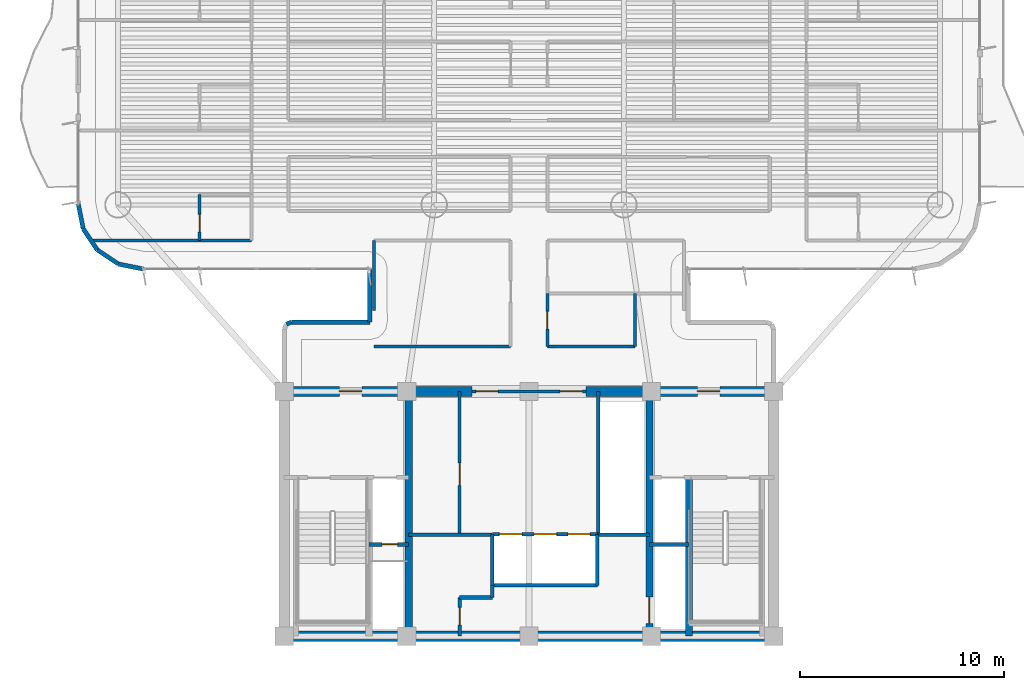
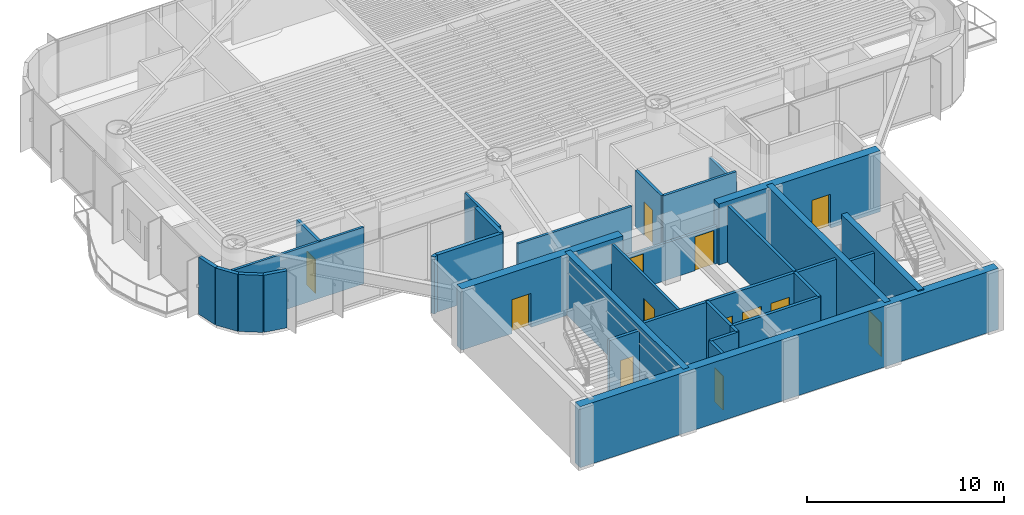
# One storey, part 9 of 17: 34 walls, 13 doors, 13 openings.
"""IFC4 building model written with IfcOpenShell, lengths in metres."""

from ifc_helpers import new_model, si_unit, direction, frame, frame_2d, origin, origin_2d, place, context, subcontext, project, spatial, rectangle, extrude, source, transform, mapped, material, layer, layer_set, type_object, element, fill, save


model = new_model("IFC4")

# Units and contexts
model_context = context("Model", 3, precision=1e-05, world=origin(), true_north=direction((0.0, 1.0)))
body_context = subcontext(model_context, "Body", "Model", "MODEL_VIEW")
ifc_project = project(units=[si_unit("LENGTHUNIT", "METRE"), si_unit("AREAUNIT", "SQUARE_METRE"), si_unit("VOLUMEUNIT", "CUBIC_METRE"), si_unit("PLANEANGLEUNIT", "RADIAN"), si_unit("MASSUNIT", "GRAM", prefix="KILO")], contexts=[model_context])

# Site, building, storey
site_placement = place(None, origin())
site = spatial("IfcSite", under=ifc_project, at=site_placement, CompositionType="ELEMENT")
building_placement = place(site_placement, origin())
building = spatial("IfcBuilding", under=site, at=building_placement, Name="Brelvock Crest Care Tower", CompositionType="ELEMENT")
storey_placement = place(building_placement, frame((0.0, 0.0, 127.6201171875)))
storey = spatial("IfcBuildingStorey", under=building, at=storey_placement, Name="L32", CompositionType="ELEMENT", Elevation=127.6201171875)

# Wall
ifc_material_1 = material(Name="Concrete S80 (80 MPa)", Category="concrete")
ifc_layer_1 = layer(ifc_material_1, 0.5, Name="WL-CS2")
ifc_layer_set_1 = layer_set([ifc_layer_1], Name="Concrete S80 (80 MPa)")
wall_type_1 = type_object("IfcWallType", Name="WL-CS2", PredefinedType="SHEAR", material=ifc_layer_set_1)
wall_1_placement = place(storey_placement, frame((48.25, 6.0, 0.0), z_axis=(0.0, 0.0, 1.0), x_axis=(-1.0, 0.0, 0.0)))
element("IfcWall", 1, at=wall_1_placement, inside=storey, type_object=wall_type_1, Name="L32 Core South Shear Wall", PredefinedType="SHEAR", context=body_context, shape_type="SweptSolid", body=[
    extrude(rectangle(XDim=24.5, YDim=0.5, at=frame_2d((12.25, 0.0))), origin(), (0.0, 0.0, 1.0), 3.77978515625),
])

# Wall, opening, door
wall_2_placement = place(storey_placement, frame((23.75, 18.0, 0.0), z_axis=(0.0, 0.0, 1.0), x_axis=(1.0, 0.0, 0.0)))
wall_2 = element("IfcWall", 2, at=wall_2_placement, inside=storey, type_object=wall_type_1, Name="L32 Core North-West Shear Wall", PredefinedType="SHEAR", context=body_context, shape_type="SweptSolid", body=[
    extrude(rectangle(XDim=9.449951171875, YDim=0.5, at=frame_2d((4.72509765625, 0.0))), origin(), (0.0, 0.0, 1.0), 3.77978515625),
])
opening_1_placement = place(wall_2_placement, frame((2.949951171875, 0.0, 0.0)))
opening_1 = element("IfcOpeningElement", 3, at=opening_1_placement, cuts=wall_2, Name="Opening FD-1", PredefinedType="OPENING", context=body_context, shape_type="SweptSolid", body=[
    extrude(rectangle(XDim=1.10009765625, YDim=2.10009765625, at=origin_2d()), frame((0.550048828125, 0.260009765625, 1.050048828125), z_axis=(0.0, -1.0, 0.0), x_axis=(1.0, 0.0, 0.0)), (0.0, 0.0, 1.0), 0.52001953125),
])
ifc_material_2 = material(Name="Steel Grade 350", Category="steel")
door_type_1 = type_object("IfcDoorType", Name="DR-FFL1", OperationType="NOTDEFINED", PredefinedType="DOOR", material=ifc_material_2)
shared_shape_1 = source(origin(), body_context, "Body", "SweptSolid", [
    extrude(rectangle(XDim=1.10009765625, YDim=2.10009765625, at=origin_2d()), frame((0.550048828125, 0.02490234375, 1.050048828125), z_axis=(0.0, -1.0, 0.0), x_axis=(1.0, 0.0, 0.0)), (0.0, 0.0, 1.0), 0.050048828125),
])
door_1_placement = place(opening_1_placement, origin())
door_1 = element("IfcDoor", 4, at=door_1_placement, inside=storey, type_object=door_type_1, Name="L32 Firefighting Lobby FFL-1 Exit Door", OperationType="SINGLE_SWING_LEFT", OverallHeight=2.10009765625, OverallWidth=1.10009765625, PredefinedType="DOOR", context=body_context, shape_type="MappedRepresentation", body=[
    mapped(shared_shape_1, transform((0.0, 0.0, 0.0), x_axis=(1.0, 0.0, 0.0), y_axis=(0.0, 1.0, 0.0), z_axis=(0.0, 0.0, 1.0), scale=1.0)),
])
fill(opening_1, door_1)

wall_3_placement = place(storey_placement, frame((38.800048828125, 18.0, 0.0), z_axis=(0.0, 0.0, 1.0), x_axis=(1.0, 0.0, 0.0)))
wall_3 = element("IfcWall", 5, at=wall_3_placement, inside=storey, type_object=wall_type_1, Name="L32 Core North-East Shear Wall", PredefinedType="SHEAR", context=body_context, shape_type="SweptSolid", body=[
    extrude(rectangle(XDim=9.449951171875, YDim=0.5, at=frame_2d((4.72509765625, 0.0))), origin(), (0.0, 0.0, 1.0), 3.77978515625),
])
opening_2_placement = place(wall_3_placement, frame((5.449951171875, 0.0, 0.0)))
opening_2 = element("IfcOpeningElement", 6, at=opening_2_placement, cuts=wall_3, Name="Opening FD-1", PredefinedType="OPENING", context=body_context, shape_type="SweptSolid", body=[
    extrude(rectangle(XDim=1.10009765625, YDim=2.10009765625, at=origin_2d()), frame((0.550048828125, 0.260009765625, 1.050048828125), z_axis=(0.0, -1.0, 0.0), x_axis=(1.0, 0.0, 0.0)), (0.0, 0.0, 1.0), 0.52001953125),
])
door_2_placement = place(opening_2_placement, origin())
door_2 = element("IfcDoor", 7, at=door_2_placement, inside=storey, type_object=door_type_1, Name="L32 Firefighting Lobby FFL-2 Exit Door", OperationType="SINGLE_SWING_RIGHT", OverallHeight=2.10009765625, OverallWidth=1.10009765625, PredefinedType="DOOR", context=body_context, shape_type="MappedRepresentation", body=[
    mapped(shared_shape_1, transform((0.0, 0.0, 0.0), x_axis=(1.0, 0.0, 0.0), y_axis=(0.0, 1.0, 0.0), z_axis=(0.0, 0.0, 1.0), scale=1.0)),
])
fill(opening_2, door_2)

# Wall
ifc_layer_2 = layer(ifc_material_1, 0.35009765625, Name="WL-CS5")
ifc_layer_set_2 = layer_set([ifc_layer_2], Name="Concrete S80 (80 MPa)")
wall_type_2 = type_object("IfcWallType", Name="WL-CS5", PredefinedType="SHEAR", material=ifc_layer_set_2)
wall_4_placement = place(storey_placement, frame((30.10009765625, 6.0, 0.0), z_axis=(0.0, 0.0, 1.0), x_axis=(0.0, 1.0, 0.0)))
element("IfcWall", 8, at=wall_4_placement, inside=storey, type_object=wall_type_2, Name="L32 Core Internal Web Wall West", PredefinedType="SHEAR", context=body_context, shape_type="SweptSolid", body=[
    extrude(rectangle(XDim=12.0, YDim=0.35009765625, at=frame_2d((6.0, 0.0))), origin(), (0.0, 0.0, 1.0), 3.77978515625),
])

# Wall, opening, door
wall_5_placement = place(storey_placement, frame((41.89990234375, 18.0, 0.0), z_axis=(0.0, 0.0, 1.0), x_axis=(0.0, -1.0, 0.0)))
wall_5 = element("IfcWall", 9, at=wall_5_placement, inside=storey, type_object=wall_type_2, Name="L32 Core Internal Web Wall East", PredefinedType="SHEAR", context=body_context, shape_type="SweptSolid", body=[
    extrude(rectangle(XDim=12.0, YDim=0.35009765625, at=frame_2d((6.0, 0.0))), origin(), (0.0, 0.0, 1.0), 3.77978515625),
])
opening_3_placement = place(wall_5_placement, frame((10.080078125, 0.0, 0.0)))
opening_3 = element("IfcOpeningElement", 10, at=opening_3_placement, cuts=wall_5, Name="Opening LD-S", PredefinedType="OPENING", context=body_context, shape_type="SweptSolid", body=[
    extrude(rectangle(XDim=1.300048828125, YDim=2.10009765625, at=origin_2d()), frame((0.64990234375, 0.18505859375, 1.050048828125), z_axis=(0.0, -1.0, 0.0), x_axis=(1.0, 0.0, 0.0)), (0.0, 0.0, 1.0), 0.3701171875),
])
door_type_2 = type_object("IfcDoorType", Name="DR-LDS1", OperationType="NOTDEFINED", PredefinedType="DOOR", material=ifc_material_2)
shared_shape_2 = source(origin(), body_context, "Body", "SweptSolid", [
    extrude(rectangle(XDim=1.300048828125, YDim=2.10009765625, at=origin_2d()), frame((0.64990234375, 0.02490234375, 1.050048828125), z_axis=(0.0, -1.0, 0.0), x_axis=(1.0, 0.0, 0.0)), (0.0, 0.0, 1.0), 0.050048828125),
])
door_3_placement = place(opening_3_placement, origin())
door_3 = element("IfcDoor", 11, at=door_3_placement, inside=storey, type_object=door_type_2, Name="L32 Clinical Bed Lift SL-1 Landing Door", OperationType="SLIDING_TO_LEFT", OverallHeight=2.10009765625, OverallWidth=1.300048828125, PredefinedType="DOOR", context=body_context, shape_type="MappedRepresentation", body=[
    mapped(shared_shape_2, transform((0.0, 0.0, 0.0), x_axis=(1.0, 0.0, 0.0), y_axis=(0.0, 1.0, 0.0), z_axis=(0.0, 0.0, 1.0), scale=1.0)),
])
fill(opening_3, door_3)

# Walls
wall_6_placement = place(storey_placement, frame((43.85009765625, 6.0, 0.0), z_axis=(0.0, 0.0, 1.0), x_axis=(0.0, 1.0, 0.0)))
element("IfcWall", 12, at=wall_6_placement, inside=storey, type_object=wall_type_2, Name="L32 Core Stair ST-2 West Shear Wall", PredefinedType="SHEAR", context=body_context, shape_type="SweptSolid", body=[
    extrude(rectangle(XDim=7.780029296875, YDim=0.35009765625, at=frame_2d((3.89013671875, 0.0))), origin(), (0.0, 0.0, 1.0), 3.849853515625),
])
ifc_material_3 = material(Name="Precast concrete N40 (40 MPa)", Category="concrete")
ifc_layer_3 = layer(ifc_material_3, 0.215087890625, Name="WL-EX2")
ifc_layer_set_3 = layer_set([ifc_layer_3], Name="Precast concrete N40 (40 MPa)")
wall_type_3 = type_object("IfcWallType", Name="WL-EX2", PredefinedType="SOLIDWALL", material=ifc_layer_set_3)
wall_7_placement = place(storey_placement, frame((24.1025390625, 21.297607421875, 0.0), z_axis=(0.0, 0.0, 1.0), x_axis=(0.924205486139, 0.381895560841, 0.0)))
element("IfcWall", 13, at=wall_7_placement, inside=storey, type_object=wall_type_3, Name="L32 Rounded Corner Wall 09", PredefinedType="SOLIDWALL", context=body_context, shape_type="SweptSolid", body=[
    extrude(rectangle(XDim=0.267822265625, YDim=0.215087890625, at=frame_2d((0.1337890625, 0.0))), origin(), (0.0, 0.0, 1.0), 3.52978515625),
])
wall_8_placement = place(storey_placement, frame((24.35009765625, 21.39990234375, 0.0), z_axis=(0.0, 0.0, 1.0), x_axis=(1.0, 0.0, 0.0)))
element("IfcWall", 14, at=wall_8_placement, inside=storey, type_object=wall_type_3, Name="L32 Rounded Corner Wall 10", PredefinedType="SOLIDWALL", context=body_context, shape_type="SweptSolid", body=[
    extrude(rectangle(XDim=3.849853515625, YDim=0.215087890625, at=frame_2d((1.9248046875, 0.0))), origin(), (0.0, 0.0, 1.0), 3.52978515625),
])
wall_9_placement = place(storey_placement, frame((28.199951171875, 21.39990234375, 0.0), z_axis=(0.0, 0.0, 1.0), x_axis=(0.0, 1.0, 0.0)))
element("IfcWall", 15, at=wall_9_placement, inside=storey, type_object=wall_type_3, Name="L32 Rounded Corner Wall 11", PredefinedType="SOLIDWALL", context=body_context, shape_type="SweptSolid", body=[
    extrude(rectangle(XDim=2.60009765625, YDim=0.215087890625, at=frame_2d((1.300048828125, 0.0))), origin(), (0.0, 0.0, 1.0), 3.52978515625),
])
for number, where, z_axis, x_axis, name in (
    (16, (17.10009765625, 24.0, 0.0), (0.0, 0.0, 1.0), (-0.980775717779, 0.195138390419, 0.0), "L32 Rounded Corner Wall 13"),
    (17, (15.87548828125, 24.24365234375, 0.0), (0.0, 0.0, 1.0), (-0.831478245117, 0.555557312883, 0.0), "L32 Rounded Corner Wall 14"),
    (18, (14.83740234375, 24.937255859375, 0.0), (0.0, 0.0, 1.0), (-0.555692485475, 0.831387912822, 0.0), "L32 Rounded Corner Wall 15"),
    (19, (14.1435546875, 25.975341796875, 0.0), (0.0, 0.0, 1.0), (-0.195138390419, 0.980775717779, 0.0), "L32 Rounded Corner Wall 16"),
):
    element("IfcWall", number, at=place(storey_placement, frame(where, z_axis=z_axis, x_axis=x_axis)), inside=storey, type_object=wall_type_3, Name=name, PredefinedType="SOLIDWALL", context=body_context, shape_type="SweptSolid", body=[
        extrude(rectangle(XDim=1.24853515625, YDim=0.215087890625, at=frame_2d((0.624267578125, 0.0))), origin(), (0.0, 0.0, 1.0), 3.52978515625),
    ])

# Wall, opening, door
ifc_material_4 = material(Name="Masonry Blockwork Acoustic Partition", Category="masonry")
ifc_layer_4 = layer(ifc_material_4, 0.14990234375, Name="WL-INT1")
ifc_layer_set_4 = layer_set([ifc_layer_4], Name="Masonry Blockwork Acoustic Partition")
wall_type_4 = type_object("IfcWallType", Name="WL-INT1", PredefinedType="PARTITIONING", material=ifc_layer_set_4)
wall_10_placement = place(storey_placement, frame((32.60009765625, 11.0, 0.0), z_axis=(0.0, 0.0, 1.0), x_axis=(0.0, 1.0, 0.0)))
wall_10 = element("IfcWall", 20, at=wall_10_placement, inside=storey, type_object=wall_type_4, Name="L32 Interior Wall WL-CRCL-E-L32", PredefinedType="PARTITIONING", context=body_context, shape_type="SweptSolid", body=[
    extrude(rectangle(XDim=7.0, YDim=0.14990234375, at=frame_2d((3.5, 0.0))), origin(), (0.0, 0.0, 1.0), 3.5),
])
opening_4_placement = place(wall_10_placement, frame((2.39990234375, 0.0, 0.0)))
opening_4 = element("IfcOpeningElement", 21, at=opening_4_placement, cuts=wall_10, Name="Opening PD-1", PredefinedType="OPENING", context=body_context, shape_type="SweptSolid", body=[
    extrude(rectangle(XDim=1.10009765625, YDim=2.10009765625, at=origin_2d()), frame((0.550048828125, 0.0849609375, 1.050048828125), z_axis=(0.0, -1.0, 0.0), x_axis=(1.0, 0.0, 0.0)), (0.0, 0.0, 1.0), 0.169921875),
])
door_type_3 = type_object("IfcDoorType", Name="DR-PLT1", OperationType="NOTDEFINED", PredefinedType="DOOR", material=ifc_material_2)
shared_shape_3 = source(origin(), body_context, "Body", "SweptSolid", [
    extrude(rectangle(XDim=1.10009765625, YDim=2.10009765625, at=origin_2d()), frame((0.550048828125, 0.02490234375, 1.050048828125), z_axis=(0.0, -1.0, 0.0), x_axis=(1.0, 0.0, 0.0)), (0.0, 0.0, 1.0), 0.050048828125),
])
door_4_placement = place(opening_4_placement, origin())
door_4 = element("IfcDoor", 22, at=door_4_placement, inside=storey, type_object=door_type_3, Name="DR-CRCL1-L32", OperationType="SINGLE_SWING_LEFT", OverallHeight=2.10009765625, OverallWidth=1.10009765625, PredefinedType="DOOR", context=body_context, shape_type="MappedRepresentation", body=[
    mapped(shared_shape_3, transform((0.0, 0.0, 0.0), x_axis=(1.0, 0.0, 0.0), y_axis=(0.0, 1.0, 0.0), z_axis=(0.0, 0.0, 1.0), scale=1.0)),
])
fill(opening_4, door_4)

# Wall, openings, doors
wall_11_placement = place(storey_placement, frame((33.199951171875, 18.0, 0.0), z_axis=(0.0, 0.0, 1.0), x_axis=(1.0, 0.0, 0.0)))
wall_11 = element("IfcWall", 23, at=wall_11_placement, inside=storey, type_object=wall_type_4, Name="L32 Interior Wall WL-CORE-NPORT-L32", PredefinedType="PARTITIONING", context=body_context, shape_type="SweptSolid", body=[
    extrude(rectangle(XDim=5.60009765625, YDim=0.14990234375, at=frame_2d((2.800048828125, 0.0))), origin(), (0.0, 0.0, 1.0), 2.31494140625),
])
opening_5_placement = place(wall_11_placement, frame((0.18994140625, 0.0, 0.0)))
opening_5 = element("IfcOpeningElement", 24, at=opening_5_placement, cuts=wall_11, Name="Opening FD-1", PredefinedType="OPENING", context=body_context, shape_type="SweptSolid", body=[
    extrude(rectangle(XDim=1.10009765625, YDim=2.10009765625, at=origin_2d()), frame((0.550048828125, 0.0849609375, 1.050048828125), z_axis=(0.0, -1.0, 0.0), x_axis=(1.0, 0.0, 0.0)), (0.0, 0.0, 1.0), 0.169921875),
])
opening_6_placement = place(wall_11_placement, frame((4.31005859375, 0.0, 0.0)))
opening_6 = element("IfcOpeningElement", 25, at=opening_6_placement, cuts=wall_11, Name="Opening FD-1", PredefinedType="OPENING", context=body_context, shape_type="SweptSolid", body=[
    extrude(rectangle(XDim=1.10009765625, YDim=2.10009765625, at=origin_2d()), frame((0.550048828125, 0.0849609375, 1.050048828125), z_axis=(0.0, -1.0, 0.0), x_axis=(1.0, 0.0, 0.0)), (0.0, 0.0, 1.0), 0.169921875),
])
door_5_placement = place(opening_5_placement, origin())
door_5 = element("IfcDoor", 26, at=door_5_placement, inside=storey, type_object=door_type_1, Name="L32 Lift Lobby North Smoke Door West", OperationType="SINGLE_SWING_LEFT", OverallHeight=2.10009765625, OverallWidth=1.10009765625, PredefinedType="DOOR", context=body_context, shape_type="MappedRepresentation", body=[
    mapped(shared_shape_1, transform((0.0, 0.0, 0.0), x_axis=(1.0, 0.0, 0.0), y_axis=(0.0, 1.0, 0.0), z_axis=(0.0, 0.0, 1.0), scale=1.0)),
])
fill(opening_5, door_5)
door_6_placement = place(opening_6_placement, origin())
door_6 = element("IfcDoor", 27, at=door_6_placement, inside=storey, type_object=door_type_1, Name="L32 Lift Lobby North Smoke Door East", OperationType="SINGLE_SWING_RIGHT", OverallHeight=2.10009765625, OverallWidth=1.10009765625, PredefinedType="DOOR", context=body_context, shape_type="MappedRepresentation", body=[
    mapped(shared_shape_1, transform((0.0, 0.0, 0.0), x_axis=(1.0, 0.0, 0.0), y_axis=(0.0, 1.0, 0.0), z_axis=(0.0, 0.0, 1.0), scale=1.0)),
])
fill(opening_6, door_6)

# Walls
wall_12_placement = place(storey_placement, frame((28.39990234375, 20.199951171875, 0.0), z_axis=(0.0, 0.0, 1.0), x_axis=(1.0, 0.0, 0.0)))
element("IfcWall", 28, at=wall_12_placement, inside=storey, type_object=wall_type_4, Name="L32 Interior Wall WL-BX-L32-THW-S", PredefinedType="PARTITIONING", context=body_context, shape_type="SweptSolid", body=[
    extrude(rectangle(XDim=6.7001953125, YDim=0.14990234375, at=frame_2d((3.35009765625, 0.0))), origin(), (0.0, 0.0, 1.0), 3.5),
])
wall_13_placement = place(storey_placement, frame((14.624267578125, 25.39990234375, 0.0), z_axis=(0.0, 0.0, 1.0), x_axis=(1.0, 0.0, 0.0)))
element("IfcWall", 29, at=wall_13_placement, inside=storey, type_object=wall_type_4, Name="L32 Interior Wall WL-BX-L32-CS-SNW1-S2", PredefinedType="PARTITIONING", context=body_context, shape_type="SweptSolid", body=[
    extrude(rectangle(XDim=7.775634765625, YDim=0.14990234375, at=frame_2d((3.8876953125, 0.0))), origin(), (0.0, 0.0, 1.0), 3.5),
])
wall_14_placement = place(storey_placement, frame((28.39990234375, 21.957275390625, 0.0), z_axis=(0.0, 0.0, 1.0), x_axis=(0.0, 1.0, 0.0)))
element("IfcWall", 30, at=wall_14_placement, inside=storey, type_object=wall_type_4, Name="L32 Interior Wall WL-BX-L32-THW-W2", PredefinedType="PARTITIONING", context=body_context, shape_type="SweptSolid", body=[
    extrude(rectangle(XDim=3.442626953125, YDim=0.14990234375, at=frame_2d((1.72119140625, 0.0))), origin(), (0.0, 0.0, 1.0), 3.5),
])
ifc_material_5 = material(Name="Gypsum Plasterboard Partition", Category="gypsum")
ifc_layer_5 = layer(ifc_material_5, 0.159912109375, Name="WL-PLM1")
ifc_layer_set_5 = layer_set([ifc_layer_5], Name="Gypsum Plasterboard Partition")
wall_type_5 = type_object("IfcWallType", Name="WL-PLM1", PredefinedType="PLUMBINGWALL", material=ifc_layer_set_5)
wall_15_placement = place(storey_placement, frame((36.89990234375, 20.199951171875, 0.0), z_axis=(0.0, 0.0, 1.0), x_axis=(1.0, 0.0, 0.0)))
element("IfcWall", 31, at=wall_15_placement, inside=storey, type_object=wall_type_5, Name="L32 Interior Wall WL-BX-L32-THE1-S", PredefinedType="PLUMBINGWALL", context=body_context, shape_type="SweptSolid", body=[
    extrude(rectangle(XDim=4.300048828125, YDim=0.159912109375, at=frame_2d((2.14990234375, 0.0))), origin(), (0.0, 0.0, 1.0), 3.5),
])

# Wall, opening, door
wall_16_placement = place(storey_placement, frame((19.85009765625, 25.39990234375, 0.0), z_axis=(0.0, 0.0, 1.0), x_axis=(0.0, 1.0, 0.0)))
wall_16 = element("IfcWall", 32, at=wall_16_placement, inside=storey, type_object=wall_type_5, Name="L32 Interior Wall WL-CENS1-L32-SNW1", PredefinedType="PLUMBINGWALL", context=body_context, shape_type="SweptSolid", body=[
    extrude(rectangle(XDim=2.25, YDim=0.159912109375, at=frame_2d((1.125, 0.0))), origin(), (0.0, 0.0, 1.0), 3.5),
])
opening_7_placement = place(wall_16_placement, frame((0.419921875, 0.0, 0.0)))
opening_7 = element("IfcOpeningElement", 33, at=opening_7_placement, cuts=wall_16, Name="Opening WD-1", PredefinedType="OPENING", context=body_context, shape_type="SweptSolid", body=[
    extrude(rectangle(XDim=0.860107421875, YDim=2.10009765625, at=origin_2d()), frame((0.43017578125, 0.08984375, 1.050048828125), z_axis=(0.0, -1.0, 0.0), x_axis=(1.0, 0.0, 0.0)), (0.0, 0.0, 1.0), 0.179931640625),
])
ifc_material_6 = material(Name="Engineered Hardwood Timber", Category="wood")
door_type_4 = type_object("IfcDoorType", Name="DR-WC1", OperationType="NOTDEFINED", PredefinedType="DOOR", material=ifc_material_6)
shared_shape_4 = source(origin(), body_context, "Body", "SweptSolid", [
    extrude(rectangle(XDim=0.860107421875, YDim=2.10009765625, at=origin_2d()), frame((0.43017578125, 0.02490234375, 1.050048828125), z_axis=(0.0, -1.0, 0.0), x_axis=(1.0, 0.0, 0.0)), (0.0, 0.0, 1.0), 0.050048828125),
])
door_7_placement = place(opening_7_placement, origin())
door_7 = element("IfcDoor", 34, at=door_7_placement, inside=storey, type_object=door_type_4, Name="L32 Care En-Suite Door SNW1", OperationType="SINGLE_SWING_LEFT", OverallHeight=2.10009765625, OverallWidth=0.860107421875, PredefinedType="DOOR", context=body_context, shape_type="MappedRepresentation", body=[
    mapped(shared_shape_4, transform((0.0, 0.0, 0.0), x_axis=(1.0, 0.0, 0.0), y_axis=(0.0, 1.0, 0.0), z_axis=(0.0, 0.0, 1.0), scale=1.0)),
])
fill(opening_7, door_7)

wall_17_placement = place(storey_placement, frame((36.89990234375, 20.199951171875, 0.0), z_axis=(0.0, 0.0, 1.0), x_axis=(0.0, 1.0, 0.0)))
wall_17 = element("IfcWall", 35, at=wall_17_placement, inside=storey, type_object=wall_type_5, Name="L32 Interior Wall WL-RM-L32-THE1", PredefinedType="PLUMBINGWALL", context=body_context, shape_type="SweptSolid", body=[
    extrude(rectangle(XDim=2.60009765625, YDim=0.159912109375, at=frame_2d((1.300048828125, 0.0))), origin(), (0.0, 0.0, 1.0), 3.5),
])
opening_8_placement = place(wall_17_placement, frame((0.8701171875, 0.0, 0.0)))
opening_8 = element("IfcOpeningElement", 36, at=opening_8_placement, cuts=wall_17, Name="Opening WD-1", PredefinedType="OPENING", context=body_context, shape_type="SweptSolid", body=[
    extrude(rectangle(XDim=0.860107421875, YDim=2.10009765625, at=origin_2d()), frame((0.43017578125, 0.08984375, 1.050048828125), z_axis=(0.0, -1.0, 0.0), x_axis=(1.0, 0.0, 0.0)), (0.0, 0.0, 1.0), 0.179931640625),
])
door_8_placement = place(opening_8_placement, origin())
door_8 = element("IfcDoor", 37, at=door_8_placement, inside=storey, type_object=door_type_4, Name="L32 Floor Accessible WC Door THE1", OperationType="SINGLE_SWING_LEFT", OverallHeight=2.10009765625, OverallWidth=0.860107421875, PredefinedType="DOOR", context=body_context, shape_type="MappedRepresentation", body=[
    mapped(shared_shape_4, transform((0.0, 0.0, 0.0), x_axis=(1.0, 0.0, 0.0), y_axis=(0.0, 1.0, 0.0), z_axis=(0.0, 0.0, 1.0), scale=1.0)),
])
fill(opening_8, door_8)

# Walls
wall_18_placement = place(storey_placement, frame((41.199951171875, 20.199951171875, 0.0), z_axis=(0.0, 0.0, 1.0), x_axis=(0.0, 1.0, 0.0)))
element("IfcWall", 38, at=wall_18_placement, inside=storey, type_object=wall_type_5, Name="L32 Interior Wall WL-BX-L32-THE1-E", PredefinedType="PLUMBINGWALL", context=body_context, shape_type="SweptSolid", body=[
    extrude(rectangle(XDim=2.60009765625, YDim=0.159912109375, at=frame_2d((1.300048828125, 0.0))), origin(), (0.0, 0.0, 1.0), 2.81494140625),
])
ifc_layer_6 = layer(ifc_material_4, 0.179931640625, Name="WL-SHF1")
ifc_layer_set_6 = layer_set([ifc_layer_6], Name="Masonry Blockwork Acoustic Partition")
wall_type_6 = type_object("IfcWallType", Name="WL-SHF1", PredefinedType="PARTITIONING", material=ifc_layer_set_6)
wall_19_placement = place(storey_placement, frame((34.199951171875, 8.5, 0.0), z_axis=(0.0, 0.0, 1.0), x_axis=(1.0, 0.0, 0.0)))
element("IfcWall", 39, at=wall_19_placement, inside=storey, type_object=wall_type_6, Name="L32 Interior Wall WL-PLM-S-L32", PredefinedType="PARTITIONING", context=body_context, shape_type="SweptSolid", body=[
    extrude(rectangle(XDim=5.150146484375, YDim=0.179931640625, at=frame_2d((2.5751953125, 0.0))), origin(), (0.0, 0.0, 1.0), 3.5),
])
for number, where, z_axis, x_axis, name in (
    (40, (34.199951171875, 8.5, 0.0), (0.0, 0.0, 1.0), (0.0, 1.0, 0.0), "L32 Interior Wall WL-PLM-W-L32"),
    (41, (39.35009765625, 8.5, 0.0), (0.0, 0.0, 1.0), (0.0, 1.0, 0.0), "L32 Interior Wall WL-PLM-E-L32"),
):
    element("IfcWall", number, at=place(storey_placement, frame(where, z_axis=z_axis, x_axis=x_axis)), inside=storey, type_object=wall_type_6, Name=name, PredefinedType="PARTITIONING", context=body_context, shape_type="SweptSolid", body=[
        extrude(rectangle(XDim=2.5, YDim=0.179931640625, at=frame_2d((1.25, 0.0))), origin(), (0.0, 0.0, 1.0), 3.5),
    ])
wall_20_placement = place(storey_placement, frame((39.39990234375, 11.0, 0.0), z_axis=(0.0, 0.0, 1.0), x_axis=(0.0, 1.0, 0.0)))
element("IfcWall", 42, at=wall_20_placement, inside=storey, type_object=wall_type_6, Name="L32 Interior Wall WL-PLH-SHF-L32", PredefinedType="PARTITIONING", context=body_context, shape_type="SweptSolid", body=[
    extrude(rectangle(XDim=7.0, YDim=0.179931640625, at=frame_2d((3.5, 0.0))), origin(), (0.0, 0.0, 1.0), 3.5),
])
wall_21_placement = place(storey_placement, frame((30.10009765625, 10.97998046875, 0.0), z_axis=(0.0, 0.0, 1.0), x_axis=(1.0, 0.0, 0.0)))
element("IfcWall", 43, at=wall_21_placement, inside=storey, type_object=wall_type_6, Name="L32 Interior Wall WL-CSBW-N-L32", PredefinedType="PARTITIONING", context=body_context, shape_type="SweptSolid", body=[
    extrude(rectangle(XDim=4.079833984375, YDim=0.179931640625, at=frame_2d((2.0400390625, 0.0))), origin(), (0.0, 0.0, 1.0), 3.5),
])
wall_22_placement = place(storey_placement, frame((34.199951171875, 7.89990234375, 0.0), z_axis=(0.0, 0.0, 1.0), x_axis=(0.0, 1.0, 0.0)))
element("IfcWall", 44, at=wall_22_placement, inside=storey, type_object=wall_type_6, Name="L32 Interior Wall WL-CSBW-E2-L32", PredefinedType="PARTITIONING", context=body_context, shape_type="SweptSolid", body=[
    extrude(rectangle(XDim=0.60009765625, YDim=0.179931640625, at=frame_2d((0.300048828125, 0.0))), origin(), (0.0, 0.0, 1.0), 3.5),
])
wall_23_placement = place(storey_placement, frame((32.60009765625, 7.89990234375, 0.0), z_axis=(0.0, 0.0, 1.0), x_axis=(1.0, 0.0, 0.0)))
element("IfcWall", 45, at=wall_23_placement, inside=storey, type_object=wall_type_6, Name="L32 Interior Wall WL-CSBW-S2-L32", PredefinedType="PARTITIONING", context=body_context, shape_type="SweptSolid", body=[
    extrude(rectangle(XDim=1.599853515625, YDim=0.179931640625, at=frame_2d((0.7998046875, 0.0))), origin(), (0.0, 0.0, 1.0), 3.5),
])

# Wall, opening, door
wall_24_placement = place(storey_placement, frame((32.60009765625, 6.0, 0.0), z_axis=(0.0, 0.0, 1.0), x_axis=(0.0, 1.0, 0.0)))
wall_24 = element("IfcWall", 46, at=wall_24_placement, inside=storey, type_object=wall_type_6, Name="L32 Interior Wall WL-CSBW-E1-L32", PredefinedType="PARTITIONING", context=body_context, shape_type="SweptSolid", body=[
    extrude(rectangle(XDim=1.89990234375, YDim=0.179931640625, at=frame_2d((0.949951171875, 0.0))), origin(), (0.0, 0.0, 1.0), 3.5),
])
opening_9_placement = place(wall_24_placement, frame((0.550048828125, 0.0, 0.0)))
opening_9 = element("IfcOpeningElement", 47, at=opening_9_placement, cuts=wall_24, Name="Opening ID-1", PredefinedType="OPENING", context=body_context, shape_type="SweptSolid", body=[
    extrude(rectangle(XDim=0.860107421875, YDim=2.10009765625, at=origin_2d()), frame((0.43017578125, 0.10009765625, 1.050048828125), z_axis=(0.0, -1.0, 0.0), x_axis=(1.0, 0.0, 0.0)), (0.0, 0.0, 1.0), 0.199951171875),
])
door_type_5 = type_object("IfcDoorType", Name="DR-INT1", OperationType="NOTDEFINED", PredefinedType="DOOR", material=ifc_material_6)
shared_shape_5 = source(origin(), body_context, "Body", "SweptSolid", [
    extrude(rectangle(XDim=0.860107421875, YDim=2.10009765625, at=origin_2d()), frame((0.43017578125, 0.02490234375, 1.050048828125), z_axis=(0.0, -1.0, 0.0), x_axis=(1.0, 0.0, 0.0)), (0.0, 0.0, 1.0), 0.050048828125),
])
door_9_placement = place(opening_9_placement, origin())
door_9 = element("IfcDoor", 48, at=door_9_placement, inside=storey, type_object=door_type_5, Name="DR-CSBW-L32", OperationType="SINGLE_SWING_LEFT", OverallHeight=2.10009765625, OverallWidth=0.860107421875, PredefinedType="DOOR", context=body_context, shape_type="MappedRepresentation", body=[
    mapped(shared_shape_5, transform((0.0, 0.0, 0.0), x_axis=(1.0, 0.0, 0.0), y_axis=(0.0, 1.0, 0.0), z_axis=(0.0, 0.0, 1.0), scale=1.0)),
])
fill(opening_9, door_9)

# Wall
wall_25_placement = place(storey_placement, frame((39.35009765625, 10.97998046875, 0.0), z_axis=(0.0, 0.0, 1.0), x_axis=(1.0, 0.0, 0.0)))
element("IfcWall", 49, at=wall_25_placement, inside=storey, type_object=wall_type_6, Name="L32 Interior Wall WL-CSBE-N-L32", PredefinedType="PARTITIONING", context=body_context, shape_type="SweptSolid", body=[
    extrude(rectangle(XDim=2.5498046875, YDim=0.179931640625, at=frame_2d((1.27490234375, 0.0))), origin(), (0.0, 0.0, 1.0), 3.5),
])

# Wall, opening, door
wall_26_placement = place(storey_placement, frame((28.14990234375, 10.5, 0.0), z_axis=(0.0, 0.0, 1.0), x_axis=(1.0, 0.0, 0.0)))
wall_26 = element("IfcWall", 50, at=wall_26_placement, inside=storey, type_object=wall_type_6, Name="L32 Interior Wall WL-FFH1-S-L32", PredefinedType="PARTITIONING", context=body_context, shape_type="SweptSolid", body=[
    extrude(rectangle(XDim=1.9501953125, YDim=0.179931640625, at=frame_2d((0.97509765625, 0.0))), origin(), (0.0, 0.0, 1.0), 3.5),
])
opening_10_placement = place(wall_26_placement, frame((0.64990234375, 0.0, 0.0)))
opening_10 = element("IfcOpeningElement", 51, at=opening_10_placement, cuts=wall_26, Name="Opening RD-1", PredefinedType="OPENING", context=body_context, shape_type="SweptSolid", body=[
    extrude(rectangle(XDim=0.760009765625, YDim=2.050048828125, at=origin_2d()), frame((0.3798828125, 0.10009765625, 1.02490234375), z_axis=(0.0, -1.0, 0.0), x_axis=(1.0, 0.0, 0.0)), (0.0, 0.0, 1.0), 0.199951171875),
])
door_type_6 = type_object("IfcDoorType", Name="DR-RIS1", OperationType="NOTDEFINED", PredefinedType="DOOR", material=ifc_material_2)
shared_shape_6 = source(origin(), body_context, "Body", "SweptSolid", [
    extrude(rectangle(XDim=0.760009765625, YDim=2.050048828125, at=origin_2d()), frame((0.3798828125, 0.02490234375, 1.02490234375), z_axis=(0.0, -1.0, 0.0), x_axis=(1.0, 0.0, 0.0)), (0.0, 0.0, 1.0), 0.050048828125),
])
door_10_placement = place(opening_10_placement, origin())
door_10 = element("IfcDoor", 52, at=door_10_placement, inside=storey, type_object=door_type_6, Name="L32 Wet Fire Riser Access Door", OperationType="SINGLE_SWING_LEFT", OverallHeight=2.050048828125, OverallWidth=0.760009765625, PredefinedType="DOOR", context=body_context, shape_type="MappedRepresentation", body=[
    mapped(shared_shape_6, transform((0.0, 0.0, 0.0), x_axis=(1.0, 0.0, 0.0), y_axis=(0.0, 1.0, 0.0), z_axis=(0.0, 0.0, 1.0), scale=1.0)),
])
fill(opening_10, door_10)

# Wall
wall_27_placement = place(storey_placement, frame((41.89990234375, 10.5, 0.0), z_axis=(0.0, 0.0, 1.0), x_axis=(1.0, 0.0, 0.0)))
element("IfcWall", 53, at=wall_27_placement, inside=storey, type_object=wall_type_6, Name="L32 Interior Wall WL-FFH2-S-L32", PredefinedType="PARTITIONING", context=body_context, shape_type="SweptSolid", body=[
    extrude(rectangle(XDim=1.9501953125, YDim=0.179931640625, at=frame_2d((0.97509765625, 0.0))), origin(), (0.0, 0.0, 1.0), 3.5),
])

# Wall, openings, doors
wall_28_placement = place(storey_placement, frame((34.199951171875, 11.0, 0.0), z_axis=(0.0, 0.0, 1.0), x_axis=(1.0, 0.0, 0.0)))
wall_28 = element("IfcWall", 54, at=wall_28_placement, inside=storey, type_object=wall_type_6, Name="L32 Interior Wall WL-PLM-BANK-L32", PredefinedType="PARTITIONING", context=body_context, shape_type="SweptSolid", body=[
    extrude(rectangle(XDim=5.150146484375, YDim=0.179931640625, at=frame_2d((2.5751953125, 0.0))), origin(), (0.0, 0.0, 1.0), 3.5),
])
opening_11_placement = place(wall_28_placement, frame((0.35009765625, 0.0, 0.0)))
opening_11 = element("IfcOpeningElement", 55, at=opening_11_placement, cuts=wall_28, Name="Opening LD", PredefinedType="OPENING", context=body_context, shape_type="SweptSolid", body=[
    extrude(rectangle(XDim=1.10009765625, YDim=2.10009765625, at=origin_2d()), frame((0.550048828125, 0.10009765625, 1.050048828125), z_axis=(0.0, -1.0, 0.0), x_axis=(1.0, 0.0, 0.0)), (0.0, 0.0, 1.0), 0.199951171875),
])
opening_12_placement = place(wall_28_placement, frame((2.050048828125, 0.0, 0.0)))
opening_12 = element("IfcOpeningElement", 56, at=opening_12_placement, cuts=wall_28, Name="Opening LD", PredefinedType="OPENING", context=body_context, shape_type="SweptSolid", body=[
    extrude(rectangle(XDim=1.10009765625, YDim=2.10009765625, at=origin_2d()), frame((0.550048828125, 0.10009765625, 1.050048828125), z_axis=(0.0, -1.0, 0.0), x_axis=(1.0, 0.0, 0.0)), (0.0, 0.0, 1.0), 0.199951171875),
])
opening_13_placement = place(wall_28_placement, frame((3.699951171875, 0.0, 0.0)))
opening_13 = element("IfcOpeningElement", 57, at=opening_13_placement, cuts=wall_28, Name="Opening LD", PredefinedType="OPENING", context=body_context, shape_type="SweptSolid", body=[
    extrude(rectangle(XDim=1.10009765625, YDim=2.10009765625, at=origin_2d()), frame((0.550048828125, 0.10009765625, 1.050048828125), z_axis=(0.0, -1.0, 0.0), x_axis=(1.0, 0.0, 0.0)), (0.0, 0.0, 1.0), 0.199951171875),
])
door_type_7 = type_object("IfcDoorType", Name="DR-LD1", OperationType="NOTDEFINED", PredefinedType="DOOR", material=ifc_material_2)
shared_shape_7 = source(origin(), body_context, "Body", "SweptSolid", [
    extrude(rectangle(XDim=1.10009765625, YDim=2.10009765625, at=origin_2d()), frame((0.550048828125, 0.02490234375, 1.050048828125), z_axis=(0.0, -1.0, 0.0), x_axis=(1.0, 0.0, 0.0)), (0.0, 0.0, 1.0), 0.050048828125),
])
door_11_placement = place(opening_11_placement, origin())
door_11 = element("IfcDoor", 58, at=door_11_placement, inside=storey, type_object=door_type_7, Name="L32 Lift PL-M1 Landing Door", OperationType="SLIDING_TO_LEFT", OverallHeight=2.10009765625, OverallWidth=1.10009765625, PredefinedType="DOOR", context=body_context, shape_type="MappedRepresentation", body=[
    mapped(shared_shape_7, transform((0.0, 0.0, 0.0), x_axis=(1.0, 0.0, 0.0), y_axis=(0.0, 1.0, 0.0), z_axis=(0.0, 0.0, 1.0), scale=1.0)),
])
fill(opening_11, door_11)
door_12_placement = place(opening_12_placement, origin())
door_12 = element("IfcDoor", 59, at=door_12_placement, inside=storey, type_object=door_type_7, Name="L32 Lift PL-M2 Landing Door", OperationType="SLIDING_TO_LEFT", OverallHeight=2.10009765625, OverallWidth=1.10009765625, PredefinedType="DOOR", context=body_context, shape_type="MappedRepresentation", body=[
    mapped(shared_shape_7, transform((0.0, 0.0, 0.0), x_axis=(1.0, 0.0, 0.0), y_axis=(0.0, 1.0, 0.0), z_axis=(0.0, 0.0, 1.0), scale=1.0)),
])
fill(opening_12, door_12)
door_13_placement = place(opening_13_placement, origin())
door_13 = element("IfcDoor", 60, at=door_13_placement, inside=storey, type_object=door_type_7, Name="L32 Lift PL-M3 Landing Door", OperationType="SLIDING_TO_LEFT", OverallHeight=2.10009765625, OverallWidth=1.10009765625, PredefinedType="DOOR", context=body_context, shape_type="MappedRepresentation", body=[
    mapped(shared_shape_7, transform((0.0, 0.0, 0.0), x_axis=(1.0, 0.0, 0.0), y_axis=(0.0, 1.0, 0.0), z_axis=(0.0, 0.0, 1.0), scale=1.0)),
])
fill(opening_13, door_13)

save(model, "model.ifc")
